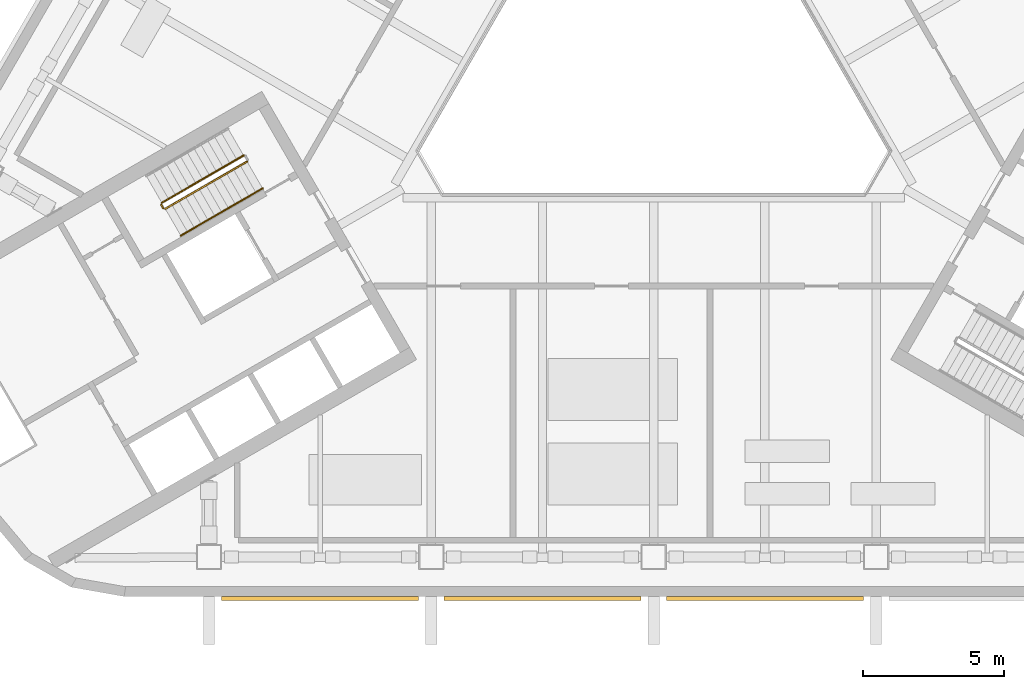
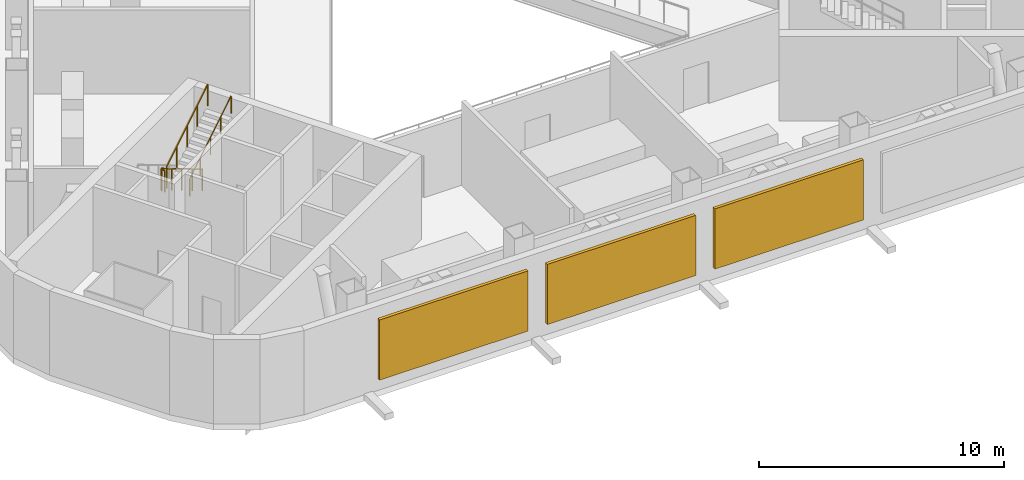
# One storey, part 11 of 15: 4 railings, 3 shading devices.
"""IFC4 building model written with IfcOpenShell, lengths in metres."""

import ifcopenshell
import ifcopenshell.guid

model = None  # the IFC model being written
_history = None  # IfcOwnerHistory: only IFC2X3 demands one
_inside = {}  # id of a spatial element -> (the spatial element, [elements in it])
_under = {}  # id of a project, library or spatial element -> (it, [spatial elements below it])
_declared = {}  # id of a project -> (the project, [libraries it declares])
_typed = {}  # id of a type object -> (the type object, [elements of that type])
_made_of = {}  # id of a material, layer set ... -> (it, [elements and type objects made of it])


def new_model(schema):
    """Start an empty IFC model of exactly this schema.

    Asked for "IFC4X3", IfcOpenShell would pick the latest addendum, in which some entities
    have other attributes; the version numbers below select the first issue.
    IFC2X3 requires an IfcOwnerHistory on every rooted entity: one is made here for all.
    """
    global model, _history
    if schema == "IFC4X3":
        model = ifcopenshell.file(schema_version=(4, 3, 0, 0))
    else:
        model = ifcopenshell.file(schema=schema)
    _inside.clear()
    _under.clear()
    _declared.clear()
    _typed.clear()
    _made_of.clear()
    _history = None
    if model.schema == "IFC2X3":
        org = make("IfcOrganization", Name="unknown")
        user = make(
            "IfcPersonAndOrganization",
            ThePerson=make("IfcPerson", FamilyName="unknown"),
            TheOrganization=org,
        )
        app = make(
            "IfcApplication",
            ApplicationDeveloper=org,
            Version="unknown",
            ApplicationFullName="unknown",
            ApplicationIdentifier="unknown",
        )
        _history = make(
            "IfcOwnerHistory",
            OwningUser=user,
            OwningApplication=app,
            ChangeAction="ADDED",
            CreationDate=0,
        )
    return model


def make(cls, **values):
    """One entity of the class cls with the attributes given. An attribute that is None is left unset."""
    return model.create_entity(
        cls, **{name: value for name, value in values.items() if value is not None}
    )


def rooted(cls, **values):
    """An entity with a GlobalId (a new one), such as an element, a storey or a relation."""
    return make(cls, GlobalId=ifcopenshell.guid.new(), OwnerHistory=_history, **values)


def si_unit(unit_type, name, prefix=None):
    """IfcSIUnit, for example si_unit("LENGTHUNIT", "METRE", prefix="MILLI")."""
    return make("IfcSIUnit", UnitType=unit_type, Prefix=prefix, Name=name)


def assignment(units):
    """IfcUnitAssignment: the units of a project."""
    return None if units is None else make("IfcUnitAssignment", Units=units)


def point(xyz):
    """IfcCartesianPoint."""
    return None if xyz is None else make("IfcCartesianPoint", Coordinates=xyz)


def direction(xyz):
    """IfcDirection."""
    return None if xyz is None else make("IfcDirection", DirectionRatios=xyz)


def frame(location, z_axis=None, x_axis=None):
    """IfcAxis2Placement3D, a coordinate frame: its origin and axes. An axis left out is left unset."""
    return make(
        "IfcAxis2Placement3D",
        Location=point(location),
        Axis=direction(z_axis),
        RefDirection=direction(x_axis),
    )


def frame_2d(location, x_axis=None):
    """IfcAxis2Placement2D, a coordinate frame in the plane: its origin and x axis."""
    return make(
        "IfcAxis2Placement2D", Location=point(location), RefDirection=direction(x_axis)
    )


def origin():
    """The frame at (0, 0, 0) with its axes left unset."""
    return frame((0.0, 0.0, 0.0))


def origin_2d():
    """The frame at (0, 0) in the plane with its x axis left unset."""
    return frame_2d((0.0, 0.0))


def place(relative_to, where):
    """IfcLocalPlacement: puts the frame where relative to a parent placement (None: the world)."""
    return make(
        "IfcLocalPlacement", PlacementRelTo=relative_to, RelativePlacement=where
    )


def context(
    kind, dimensions, precision=None, world=None, true_north=None, identifier=None
):
    """IfcGeometricRepresentationContext, for example the 3D "Model" context."""
    return make(
        "IfcGeometricRepresentationContext",
        ContextIdentifier=identifier,
        ContextType=kind,
        CoordinateSpaceDimension=dimensions,
        Precision=precision,
        WorldCoordinateSystem=world,
        TrueNorth=true_north,
    )


def subcontext(parent, identifier, kind, view, scale=None):
    """IfcGeometricRepresentationSubContext, for example "Body" below "Model"."""
    return make(
        "IfcGeometricRepresentationSubContext",
        ContextIdentifier=identifier,
        ContextType=kind,
        ParentContext=parent,
        TargetScale=scale,
        TargetView=view,
    )


def project(units=None, contexts=None):
    """IfcProject with its units and contexts."""
    return rooted(
        "IfcProject",
        Name="project",
        RepresentationContexts=contexts,
        UnitsInContext=assignment(units),
    )


def spatial(cls, under=None, at=None, **own):
    """A site, building, storey or space (cls), placed at a placement, below another one or the project."""
    s = rooted(cls, ObjectPlacement=at, **own)
    if under is not None:
        _under.setdefault(under.id(), (under, []))[1].append(s)
    return s


def profile(cls, at=None, kind="AREA", **sizes):
    """A parametric profile (cls). Its sizes go by their IFC names, for example OverallWidth=200.0."""
    return make(cls, ProfileType=kind, Position=at, **sizes)


def rectangle(**sizes):
    """IfcRectangleProfileDef."""
    return profile("IfcRectangleProfileDef", **sizes)


def circle(**sizes):
    """IfcCircleProfileDef."""
    return profile("IfcCircleProfileDef", **sizes)


def extrude(swept, where, along, depth):
    """IfcExtrudedAreaSolid: the profile swept, set in the frame where, extruded along a direction by depth."""
    return make(
        "IfcExtrudedAreaSolid",
        SweptArea=swept,
        Position=where,
        ExtrudedDirection=direction(along),
        Depth=depth,
    )


def shape(context_of_items, identifier, shape_type, items):
    """IfcShapeRepresentation: the items that make up one representation, for example the "Body"."""
    return make(
        "IfcShapeRepresentation",
        ContextOfItems=context_of_items,
        RepresentationIdentifier=identifier,
        RepresentationType=shape_type,
        Items=items,
    )


def material(Name=None, Category=None):
    """IfcMaterial."""
    return make("IfcMaterial", Name=Name, Category=Category)


def made_of(thing, what):
    """Note that an element or type object is made of a material, layer set ...; save() writes the relation."""
    if what is not None:
        _made_of.setdefault(what.id(), (what, []))[1].append(thing)
    return thing


def type_object(cls, material=None, **own):
    """A type object (cls), such as IfcWallType, which elements share."""
    return made_of(rooted(cls, **own), material)


def element(
    cls,
    number,
    at=None,
    inside=None,
    cuts=None,
    type_object=None,
    material=None,
    context=None,
    identifier="Body",
    shape_type=None,
    held_by="IfcProductDefinitionShape",
    body=None,
    shapes=None,
    **own,
):
    """One element of the class cls, such as IfcWall. Its Tag is "e" and its number.

    at: its placement. inside: the storey or other place that contains it. cuts: it is an
    opening in that element (IfcRelVoidsElement). A single representation is given by context,
    identifier, shape_type and body (its items); several are given by shapes. held_by: the class
    of the entity that holds the representations. save() writes the other relations.
    """
    e = rooted(cls, Tag="e%d" % number, ObjectPlacement=at, **own)
    if body is not None:
        shapes = [shape(context, identifier, shape_type, body)]
    if shapes is not None:
        e.Representation = make(held_by, Representations=shapes)
    if inside is not None:
        _inside.setdefault(inside.id(), (inside, []))[1].append(e)
    if cuts is not None:
        rooted(
            "IfcRelVoidsElement", RelatingBuildingElement=cuts, RelatedOpeningElement=e
        )
    if type_object is not None:
        _typed.setdefault(type_object.id(), (type_object, []))[1].append(e)
    return made_of(e, material)


def aggregate(whole, parts):
    """IfcRelAggregates: a whole, such as a stair, and the parts it consists of."""
    return rooted("IfcRelAggregates", RelatingObject=whole, RelatedObjects=parts)


def save(model, path):
    """Write the relations noted so far, then the file.

    IfcRelAggregates (storeys below a building ...), IfcRelContainedInSpatialStructure (elements
    in a storey), IfcRelDefinesByType, IfcRelAssociatesMaterial and IfcRelDeclares: one each for
    every whole, place, type object, material and project.
    """
    for whole, parts in _under.values():
        aggregate(whole, parts)
    for where, things in _inside.values():
        rooted(
            "IfcRelContainedInSpatialStructure",
            RelatedElements=things,
            RelatingStructure=where,
        )
    for kind, things in _typed.values():
        rooted("IfcRelDefinesByType", RelatedObjects=things, RelatingType=kind)
    for what, things in _made_of.values():
        rooted("IfcRelAssociatesMaterial", RelatedObjects=things, RelatingMaterial=what)
    for by, libraries in _declared.values():
        rooted("IfcRelDeclares", RelatingContext=by, RelatedDefinitions=libraries)
    model.write(path)


model = new_model("IFC4")

# Units and contexts
model_context = context("Model", 3, precision=1e-05, world=origin(), true_north=direction((0.0, 1.0)))
body_context = subcontext(model_context, "Body", "Model", "MODEL_VIEW")
ifc_project = project(units=[si_unit("LENGTHUNIT", "METRE"), si_unit("AREAUNIT", "SQUARE_METRE"), si_unit("VOLUMEUNIT", "CUBIC_METRE"), si_unit("PLANEANGLEUNIT", "RADIAN"), si_unit("MASSUNIT", "GRAM", prefix="KILO")], contexts=[model_context])

# Site, building, storey
site_placement = place(None, origin())
site = spatial("IfcSite", under=ifc_project, at=site_placement, CompositionType="ELEMENT")
building_placement = place(site_placement, origin())
building = spatial("IfcBuilding", under=site, at=building_placement, Name="Apuvela Tower Hotel", CompositionType="ELEMENT")
storey_placement = place(building_placement, frame((0.0, 0.0, 137.60009765625)))
storey = spatial("IfcBuildingStorey", under=building, at=storey_placement, Name="L32 Plant", CompositionType="ELEMENT", Elevation=137.60009765625)

# Railings
ifc_material_1 = material(Name="Steel S275 balustrade", Category="steel")
railing_type_1 = type_object("IfcRailingType", Name="COR-GUARD-1100", PredefinedType="GUARDRAIL", material=ifc_material_1)
railing_1_placement = place(storey_placement, frame((-14.569091796875, -3.9658203125, 0.173095703125)))
element("IfcRailing", 1, at=railing_1_placement, inside=storey, type_object=railing_type_1, Name="L32 Plant ST2 stair guard 1", PredefinedType="GUARDRAIL", context=body_context, shape_type="SweptSolid", body=[
    extrude(rectangle(XDim=0.048095703125, YDim=0.048095703125, at=origin_2d()), frame((0.0, 0.0, 1.076171875), z_axis=(-0.736639687092, -0.425307743487, 0.525809180911), x_axis=(0.500007602105, -0.866021014662, 0.0)), (0.0, 0.0, 1.0), 3.949951171875),
    extrude(rectangle(XDim=0.0419921875, YDim=0.0419921875, at=origin_2d()), origin(), (0.0, 0.0, 1.0), 1.052001953125),
    extrude(rectangle(XDim=0.0419921875, YDim=0.0419921875, at=origin_2d()), frame((-0.7275390625, -0.419921875, 0.519287109375)), (0.0, 0.0, 1.0), 1.052001953125),
    extrude(rectangle(XDim=0.0419921875, YDim=0.0419921875, at=origin_2d()), frame((-1.454833984375, -0.83984375, 1.03857421875)), (0.0, 0.0, 1.0), 1.052001953125),
    extrude(rectangle(XDim=0.0419921875, YDim=0.0419921875, at=origin_2d()), frame((-2.18212890625, -1.260009765625, 1.5576171875)), (0.0, 0.0, 1.0), 1.052001953125),
    extrude(rectangle(XDim=0.0419921875, YDim=0.0419921875, at=origin_2d()), frame((-2.90966796875, -1.679931640625, 2.076904296875)), (0.0, 0.0, 1.0), 1.052001953125),
])
railing_2_placement = place(storey_placement, frame((-17.4970703125, -5.714111328125, 2.25)))
element("IfcRailing", 2, at=railing_2_placement, inside=storey, type_object=railing_type_1, Name="L32 Plant ST2 stair guard 2", PredefinedType="GUARDRAIL", context=body_context, shape_type="SweptSolid", body=[
    extrude(rectangle(XDim=0.048095703125, YDim=0.048095703125, at=origin_2d()), frame((0.0, 0.0, 1.076171875), z_axis=(0.499816412211, -0.866131372301, 0.0), x_axis=(0.866131372301, 0.499816412211, 0.0)), (0.0, 0.0, 1.0), 0.14990234375),
    extrude(rectangle(XDim=0.0419921875, YDim=0.0419921875, at=origin_2d()), origin(), (0.0, 0.0, 1.0), 1.052001953125),
    extrude(rectangle(XDim=0.0419921875, YDim=0.0419921875, at=origin_2d()), frame((0.074951171875, -0.1298828125, 0.0)), (0.0, 0.0, 1.0), 1.052001953125),
])
railing_3_placement = place(storey_placement, frame((-17.353759765625, -5.8623046875, 2.423095703125)))
element("IfcRailing", 3, at=railing_3_placement, inside=storey, type_object=railing_type_1, Name="L32 Plant ST2 stair guard 3", PredefinedType="GUARDRAIL", context=body_context, shape_type="SweptSolid", body=[
    extrude(rectangle(XDim=0.048095703125, YDim=0.048095703125, at=origin_2d()), frame((0.0, 0.0, 1.076171875), z_axis=(0.736639687092, 0.425307743487, 0.525809180911), x_axis=(-0.500007602105, 0.866021014662, 0.0)), (0.0, 0.0, 1.0), 3.949951171875),
    extrude(rectangle(XDim=0.0419921875, YDim=0.0419921875, at=origin_2d()), origin(), (0.0, 0.0, 1.0), 1.052001953125),
    extrude(rectangle(XDim=0.0419921875, YDim=0.0419921875, at=origin_2d()), frame((0.7275390625, 0.419921875, 0.519287109375)), (0.0, 0.0, 1.0), 1.052001953125),
    extrude(rectangle(XDim=0.0419921875, YDim=0.0419921875, at=origin_2d()), frame((1.454833984375, 0.83984375, 1.03857421875)), (0.0, 0.0, 1.0), 1.052001953125),
    extrude(rectangle(XDim=0.0419921875, YDim=0.0419921875, at=origin_2d()), frame((2.18212890625, 1.260009765625, 1.5576171875)), (0.0, 0.0, 1.0), 1.052001953125),
    extrude(rectangle(XDim=0.0419921875, YDim=0.0419921875, at=origin_2d()), frame((2.90966796875, 1.679931640625, 2.076904296875)), (0.0, 0.0, 1.0), 1.052001953125),
])
ifc_material_2 = material(Name="Stainless steel 316 handrail", Category="steel")
railing_type_2 = type_object("IfcRailingType", Name="COR-HANDRAIL-900", PredefinedType="HANDRAIL", material=ifc_material_2)
railing_4_placement = place(storey_placement, frame((-16.8037109375, -6.81494140625, 2.423095703125)))
element("IfcRailing", 4, at=railing_4_placement, inside=storey, type_object=railing_type_2, Name="L32 Plant ST2 stair handrail 2", PredefinedType="HANDRAIL", context=body_context, shape_type="SweptSolid", body=[
    extrude(circle(Radius=0.02392578125, at=origin_2d()), frame((0.0, 0.0, 0.8759765625), z_axis=(0.736639687092, 0.425307743487, 0.525809180911), x_axis=(-0.500007602105, 0.866021014662, 0.0)), (0.0, 0.0, 1.0), 3.949951171875),
    extrude(rectangle(XDim=0.0419921875, YDim=0.0419921875, at=origin_2d()), origin(), (0.0, 0.0, 1.0), 0.851806640625),
    extrude(rectangle(XDim=0.0419921875, YDim=0.0419921875, at=origin_2d()), frame((0.7275390625, 0.419921875, 0.519287109375)), (0.0, 0.0, 1.0), 0.851806640625),
    extrude(rectangle(XDim=0.0419921875, YDim=0.0419921875, at=origin_2d()), frame((1.454833984375, 0.83984375, 1.03857421875)), (0.0, 0.0, 1.0), 0.851806640625),
    extrude(rectangle(XDim=0.0419921875, YDim=0.0419921875, at=origin_2d()), frame((2.18212890625, 1.260009765625, 1.5576171875)), (0.0, 0.0, 1.0), 0.851806640625),
    extrude(rectangle(XDim=0.0419921875, YDim=0.0419921875, at=origin_2d()), frame((2.90966796875, 1.679931640625, 2.076904296875)), (0.0, 0.0, 1.0), 0.851806640625),
])

# Shading devices
ifc_material_3 = material(Name="Aluminium 6063-T6, black anodised louvre blades", Category="aluminium")
shading_device_type = type_object("IfcShadingDeviceType", Name="ENV-LOUVRE-SCREEN", PredefinedType="USERDEFINED", material=ifc_material_3)
for number, where, z_axis, x_axis, name in (
    (5, (-11.85009765625, -19.705078125, 0.599853515625), (0.0, 0.0, 1.0), (1.0, 0.0, 0.0), "Plant louvre S1"),
    (6, (-3.949951171875, -19.705078125, 0.599853515625), (0.0, 0.0, 1.0), (1.0, 0.0, 0.0), "Plant louvre S2"),
    (7, (3.949951171875, -19.705078125, 0.599853515625), (0.0, 0.0, 1.0), (1.0, 0.0, 0.0), "Plant louvre S3"),
):
    element("IfcShadingDevice", number, at=place(storey_placement, frame(where, z_axis=z_axis, x_axis=x_axis)), inside=storey, type_object=shading_device_type, Name=name, ObjectType="LOUVRE", PredefinedType="USERDEFINED", context=body_context, shape_type="SweptSolid", body=[
        extrude(rectangle(XDim=7.0, YDim=0.14990234375, at=origin_2d()), origin(), (0.0, 0.0, 1.0), 3.0),
    ])

save(model, "model.ifc")
